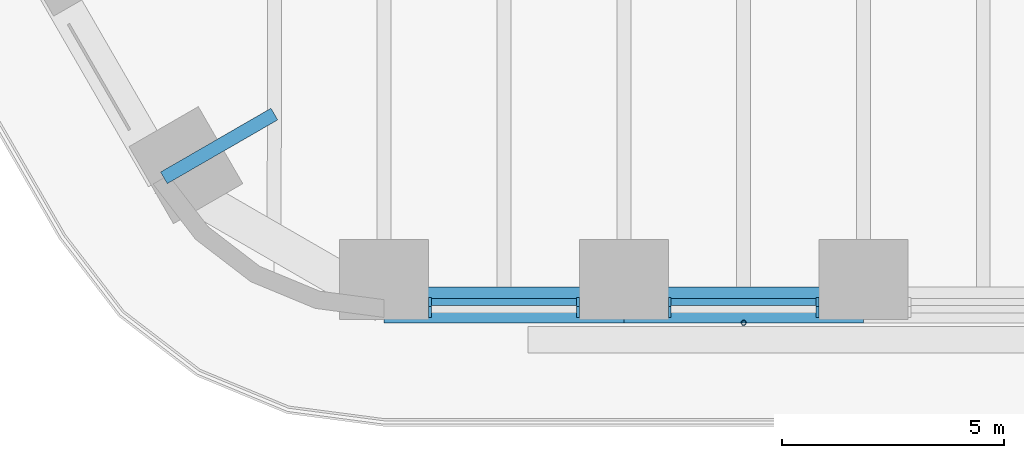
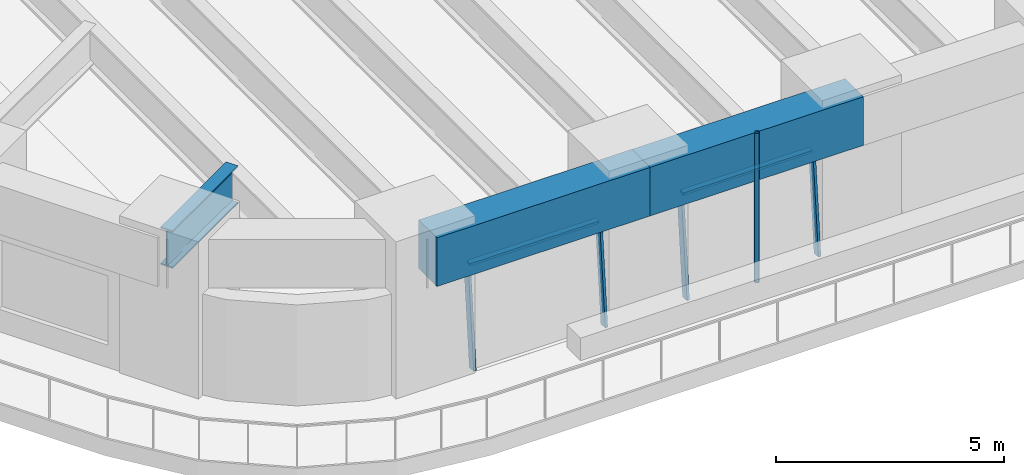
# One storey, part 2 of 23: 7 members, 3 beams, 2 elements without a shape of their own.
"""IFC4 building model written with IfcOpenShell, lengths in metres."""

import ifcopenshell
import ifcopenshell.guid

model = None  # the IFC model being written
_history = None  # IfcOwnerHistory: only IFC2X3 demands one
_inside = {}  # id of a spatial element -> (the spatial element, [elements in it])
_under = {}  # id of a project, library or spatial element -> (it, [spatial elements below it])
_declared = {}  # id of a project -> (the project, [libraries it declares])
_typed = {}  # id of a type object -> (the type object, [elements of that type])
_made_of = {}  # id of a material, layer set ... -> (it, [elements and type objects made of it])


def new_model(schema):
    """Start an empty IFC model of exactly this schema.

    Asked for "IFC4X3", IfcOpenShell would pick the latest addendum, in which some entities
    have other attributes; the version numbers below select the first issue.
    IFC2X3 requires an IfcOwnerHistory on every rooted entity: one is made here for all.
    """
    global model, _history
    if schema == "IFC4X3":
        model = ifcopenshell.file(schema_version=(4, 3, 0, 0))
    else:
        model = ifcopenshell.file(schema=schema)
    _inside.clear()
    _under.clear()
    _declared.clear()
    _typed.clear()
    _made_of.clear()
    _history = None
    if model.schema == "IFC2X3":
        org = make("IfcOrganization", Name="unknown")
        user = make(
            "IfcPersonAndOrganization",
            ThePerson=make("IfcPerson", FamilyName="unknown"),
            TheOrganization=org,
        )
        app = make(
            "IfcApplication",
            ApplicationDeveloper=org,
            Version="unknown",
            ApplicationFullName="unknown",
            ApplicationIdentifier="unknown",
        )
        _history = make(
            "IfcOwnerHistory",
            OwningUser=user,
            OwningApplication=app,
            ChangeAction="ADDED",
            CreationDate=0,
        )
    return model


def make(cls, **values):
    """One entity of the class cls with the attributes given. An attribute that is None is left unset."""
    return model.create_entity(
        cls, **{name: value for name, value in values.items() if value is not None}
    )


def rooted(cls, **values):
    """An entity with a GlobalId (a new one), such as an element, a storey or a relation."""
    return make(cls, GlobalId=ifcopenshell.guid.new(), OwnerHistory=_history, **values)


def si_unit(unit_type, name, prefix=None):
    """IfcSIUnit, for example si_unit("LENGTHUNIT", "METRE", prefix="MILLI")."""
    return make("IfcSIUnit", UnitType=unit_type, Prefix=prefix, Name=name)


def assignment(units):
    """IfcUnitAssignment: the units of a project."""
    return None if units is None else make("IfcUnitAssignment", Units=units)


def point(xyz):
    """IfcCartesianPoint."""
    return None if xyz is None else make("IfcCartesianPoint", Coordinates=xyz)


def direction(xyz):
    """IfcDirection."""
    return None if xyz is None else make("IfcDirection", DirectionRatios=xyz)


def frame(location, z_axis=None, x_axis=None):
    """IfcAxis2Placement3D, a coordinate frame: its origin and axes. An axis left out is left unset."""
    return make(
        "IfcAxis2Placement3D",
        Location=point(location),
        Axis=direction(z_axis),
        RefDirection=direction(x_axis),
    )


def frame_2d(location, x_axis=None):
    """IfcAxis2Placement2D, a coordinate frame in the plane: its origin and x axis."""
    return make(
        "IfcAxis2Placement2D", Location=point(location), RefDirection=direction(x_axis)
    )


def origin():
    """The frame at (0, 0, 0) with its axes left unset."""
    return frame((0.0, 0.0, 0.0))


def origin_2d():
    """The frame at (0, 0) in the plane with its x axis left unset."""
    return frame_2d((0.0, 0.0))


def place(relative_to, where):
    """IfcLocalPlacement: puts the frame where relative to a parent placement (None: the world)."""
    return make(
        "IfcLocalPlacement", PlacementRelTo=relative_to, RelativePlacement=where
    )


def context(
    kind, dimensions, precision=None, world=None, true_north=None, identifier=None
):
    """IfcGeometricRepresentationContext, for example the 3D "Model" context."""
    return make(
        "IfcGeometricRepresentationContext",
        ContextIdentifier=identifier,
        ContextType=kind,
        CoordinateSpaceDimension=dimensions,
        Precision=precision,
        WorldCoordinateSystem=world,
        TrueNorth=true_north,
    )


def subcontext(parent, identifier, kind, view, scale=None):
    """IfcGeometricRepresentationSubContext, for example "Body" below "Model"."""
    return make(
        "IfcGeometricRepresentationSubContext",
        ContextIdentifier=identifier,
        ContextType=kind,
        ParentContext=parent,
        TargetScale=scale,
        TargetView=view,
    )


def project(units=None, contexts=None):
    """IfcProject with its units and contexts."""
    return rooted(
        "IfcProject",
        Name="project",
        RepresentationContexts=contexts,
        UnitsInContext=assignment(units),
    )


def spatial(cls, under=None, at=None, **own):
    """A site, building, storey or space (cls), placed at a placement, below another one or the project."""
    s = rooted(cls, ObjectPlacement=at, **own)
    if under is not None:
        _under.setdefault(under.id(), (under, []))[1].append(s)
    return s


def profile(cls, at=None, kind="AREA", **sizes):
    """A parametric profile (cls). Its sizes go by their IFC names, for example OverallWidth=200.0."""
    return make(cls, ProfileType=kind, Position=at, **sizes)


def rectangle(**sizes):
    """IfcRectangleProfileDef."""
    return profile("IfcRectangleProfileDef", **sizes)


def hollow_circle(**sizes):
    """IfcCircleHollowProfileDef."""
    return profile("IfcCircleHollowProfileDef", **sizes)


def i_section(**sizes):
    """IfcIShapeProfileDef."""
    return profile("IfcIShapeProfileDef", **sizes)


def extrude(swept, where, along, depth):
    """IfcExtrudedAreaSolid: the profile swept, set in the frame where, extruded along a direction by depth."""
    return make(
        "IfcExtrudedAreaSolid",
        SweptArea=swept,
        Position=where,
        ExtrudedDirection=direction(along),
        Depth=depth,
    )


def shape(context_of_items, identifier, shape_type, items):
    """IfcShapeRepresentation: the items that make up one representation, for example the "Body"."""
    return make(
        "IfcShapeRepresentation",
        ContextOfItems=context_of_items,
        RepresentationIdentifier=identifier,
        RepresentationType=shape_type,
        Items=items,
    )


def material(Name=None, Category=None):
    """IfcMaterial."""
    return make("IfcMaterial", Name=Name, Category=Category)


def material_profile(
    of_material, cross_section, Name=None, Category=None, Priority=None
):
    """IfcMaterialProfile: a cross section and its material."""
    return make(
        "IfcMaterialProfile",
        Name=Name,
        Material=of_material,
        Profile=cross_section,
        Priority=Priority,
        Category=Category,
    )


def profile_set(profiles, Name=None, composite=None):
    """IfcMaterialProfileSet."""
    return make(
        "IfcMaterialProfileSet",
        Name=Name,
        MaterialProfiles=profiles,
        CompositeProfile=composite,
    )


def made_of(thing, what):
    """Note that an element or type object is made of a material, layer set ...; save() writes the relation."""
    if what is not None:
        _made_of.setdefault(what.id(), (what, []))[1].append(thing)
    return thing


def type_object(cls, material=None, **own):
    """A type object (cls), such as IfcWallType, which elements share."""
    return made_of(rooted(cls, **own), material)


def element(
    cls,
    number,
    at=None,
    inside=None,
    cuts=None,
    type_object=None,
    material=None,
    context=None,
    identifier="Body",
    shape_type=None,
    held_by="IfcProductDefinitionShape",
    body=None,
    shapes=None,
    **own,
):
    """One element of the class cls, such as IfcWall. Its Tag is "e" and its number.

    at: its placement. inside: the storey or other place that contains it. cuts: it is an
    opening in that element (IfcRelVoidsElement). A single representation is given by context,
    identifier, shape_type and body (its items); several are given by shapes. held_by: the class
    of the entity that holds the representations. save() writes the other relations.
    """
    e = rooted(cls, Tag="e%d" % number, ObjectPlacement=at, **own)
    if body is not None:
        shapes = [shape(context, identifier, shape_type, body)]
    if shapes is not None:
        e.Representation = make(held_by, Representations=shapes)
    if inside is not None:
        _inside.setdefault(inside.id(), (inside, []))[1].append(e)
    if cuts is not None:
        rooted(
            "IfcRelVoidsElement", RelatingBuildingElement=cuts, RelatedOpeningElement=e
        )
    if type_object is not None:
        _typed.setdefault(type_object.id(), (type_object, []))[1].append(e)
    return made_of(e, material)


def aggregate(whole, parts):
    """IfcRelAggregates: a whole, such as a stair, and the parts it consists of."""
    return rooted("IfcRelAggregates", RelatingObject=whole, RelatedObjects=parts)


def save(model, path):
    """Write the relations noted so far, then the file.

    IfcRelAggregates (storeys below a building ...), IfcRelContainedInSpatialStructure (elements
    in a storey), IfcRelDefinesByType, IfcRelAssociatesMaterial and IfcRelDeclares: one each for
    every whole, place, type object, material and project.
    """
    for whole, parts in _under.values():
        aggregate(whole, parts)
    for where, things in _inside.values():
        rooted(
            "IfcRelContainedInSpatialStructure",
            RelatedElements=things,
            RelatingStructure=where,
        )
    for kind, things in _typed.values():
        rooted("IfcRelDefinesByType", RelatedObjects=things, RelatingType=kind)
    for what, things in _made_of.values():
        rooted("IfcRelAssociatesMaterial", RelatedObjects=things, RelatingMaterial=what)
    for by, libraries in _declared.values():
        rooted("IfcRelDeclares", RelatingContext=by, RelatedDefinitions=libraries)
    model.write(path)


model = new_model("IFC4")

# Units and contexts
model_context = context("Model", 3, precision=1e-05, world=origin(), true_north=direction((0.0, 1.0)))
body_context = subcontext(model_context, "Body", "Model", "MODEL_VIEW")
ifc_project = project(units=[si_unit("LENGTHUNIT", "METRE"), si_unit("AREAUNIT", "SQUARE_METRE"), si_unit("VOLUMEUNIT", "CUBIC_METRE"), si_unit("PLANEANGLEUNIT", "RADIAN"), si_unit("MASSUNIT", "GRAM", prefix="KILO")], contexts=[model_context])

# Site, building, storey
site_placement = place(None, origin())
site = spatial("IfcSite", under=ifc_project, at=site_placement, CompositionType="ELEMENT")
building_placement = place(site_placement, origin())
building = spatial("IfcBuilding", under=site, at=building_placement, Name="Tarfa Lantern Tower", CompositionType="ELEMENT")
storey_placement = place(building_placement, frame((0.0, 0.0, 44.5)))
storey = spatial("IfcBuildingStorey", under=building, at=storey_placement, Name="L09", CompositionType="ELEMENT", Elevation=44.5)

# Curtain wall, members
ifc_material_1 = material(Name="Aluminium framed curtain wall", Category="aluminium")
curtain_wall_type = type_object("IfcCurtainWallType", Name="CW1 CANTED GLAZING LOW ZONE 2700", PredefinedType="USERDEFINED", material=ifc_material_1)
curtain_wall_1_placement = place(storey_placement, origin())
curtain_wall_1 = element("IfcCurtainWall", 1, at=curtain_wall_1_placement, inside=storey, type_object=curtain_wall_type, Name="CW1 S L09", ObjectType="CURTAIN WALL", PredefinedType="USERDEFINED")
ifc_material_2 = material(Name="Aluminium mullion", Category="aluminium")
ifc_material_profile_1 = material_profile(ifc_material_2, rectangle(XDim=0.06494140625, YDim=0.199951171875, at=origin_2d()), Name="AL MULLION 65x200")
ifc_profile_set_1 = profile_set([ifc_material_profile_1], Name="Aluminium mullion")
member_type_1 = type_object("IfcMemberType", Name="CWM1 MULLION 65x200", PredefinedType="MULLION", material=ifc_profile_set_1)
member_1_placement = place(storey_placement, frame((-15.13330078125, -33.89990234375, 0.0), z_axis=(0.0, 0.092199863775, 0.995740520979), x_axis=(-1.0, 0.0, 0.0)))
member_1 = element("IfcMember", 2, at=member_1_placement, type_object=member_type_1, Name="CW1 mullion 1", PredefinedType="MULLION", context=body_context, shape_type="SweptSolid", body=[
    extrude(rectangle(XDim=0.06494140625, YDim=0.199951171875, at=origin_2d()), origin(), (0.0, 0.0, 1.0), 2.71142578125),
])
member_2_placement = place(storey_placement, frame((-11.809814453125, -33.89990234375, 0.0), z_axis=(0.0, 0.092199863775, 0.995740520979), x_axis=(-1.0, 0.0, 0.0)))
member_2 = element("IfcMember", 3, at=member_2_placement, type_object=member_type_1, Name="CW1 mullion 2", PredefinedType="MULLION", context=body_context, shape_type="SweptSolid", body=[
    extrude(rectangle(XDim=0.06494140625, YDim=0.199951171875, at=origin_2d()), origin(), (0.0, 0.0, 1.0), 2.71142578125),
])

curtain_wall_2_placement = place(storey_placement, origin())
curtain_wall_2 = element("IfcCurtainWall", 4, at=curtain_wall_2_placement, inside=storey, type_object=curtain_wall_type, Name="CW1 S L09", ObjectType="CURTAIN WALL", PredefinedType="USERDEFINED")
member_3_placement = place(storey_placement, frame((-9.74462890625, -33.89990234375, 0.0), z_axis=(0.0, 0.092199863775, 0.995740520979), x_axis=(-1.0, 0.0, 0.0)))
member_3 = element("IfcMember", 5, at=member_3_placement, type_object=member_type_1, Name="CW1 mullion 1", PredefinedType="MULLION", context=body_context, shape_type="SweptSolid", body=[
    extrude(rectangle(XDim=0.06494140625, YDim=0.199951171875, at=origin_2d()), origin(), (0.0, 0.0, 1.0), 2.71142578125),
])
member_4_placement = place(storey_placement, frame((-6.421142578125, -33.89990234375, 0.0), z_axis=(0.0, 0.092199863775, 0.995740520979), x_axis=(-1.0, 0.0, 0.0)))
member_4 = element("IfcMember", 6, at=member_4_placement, type_object=member_type_1, Name="CW1 mullion 2", PredefinedType="MULLION", context=body_context, shape_type="SweptSolid", body=[
    extrude(rectangle(XDim=0.06494140625, YDim=0.199951171875, at=origin_2d()), origin(), (0.0, 0.0, 1.0), 2.71142578125),
])

# Member
ifc_material_3 = material(Name="Aluminium transom", Category="aluminium")
ifc_material_profile_2 = material_profile(ifc_material_3, rectangle(XDim=0.14990234375, YDim=0.06494140625, at=origin_2d()), Name="AL TRANSOM 150x65")
ifc_profile_set_2 = profile_set([ifc_material_profile_2], Name="Aluminium transom")
member_type_2 = type_object("IfcMemberType", Name="CWT1 TRANSOM 150x65", PredefinedType="USERDEFINED", material=ifc_profile_set_2)
member_5_placement = place(storey_placement, frame((-15.100830078125, -33.653076171875, 2.66748046875), z_axis=(1.0, 0.0, 0.0), x_axis=(0.0, 1.0, 0.0)))
member_5 = element("IfcMember", 7, at=member_5_placement, type_object=member_type_2, Name="CW1 transom 1.2", ObjectType="TRANSOM", PredefinedType="USERDEFINED", context=body_context, shape_type="SweptSolid", body=[
    extrude(rectangle(XDim=0.14990234375, YDim=0.06494140625, at=origin_2d()), origin(), (0.0, 0.0, 1.0), 3.258544921875),
])

aggregate(curtain_wall_1, [member_1, member_2, member_5])

member_6_placement = place(storey_placement, frame((-9.712158203125, -33.653076171875, 2.66748046875), z_axis=(1.0, 0.0, 0.0), x_axis=(0.0, 1.0, 0.0)))
member_6 = element("IfcMember", 8, at=member_6_placement, type_object=member_type_2, Name="CW1 transom 1.2", ObjectType="TRANSOM", PredefinedType="USERDEFINED", context=body_context, shape_type="SweptSolid", body=[
    extrude(rectangle(XDim=0.14990234375, YDim=0.06494140625, at=origin_2d()), origin(), (0.0, 0.0, 1.0), 3.258544921875),
])

aggregate(curtain_wall_2, [member_3, member_4, member_6])

# Beams
ifc_material_4 = material(Name="Concrete C80/95", Category="concrete")
ifc_material_profile_3 = material_profile(ifc_material_4, rectangle(XDim=0.800048828125, YDim=1.300048828125, at=origin_2d()), Name="RC 800x1300")
ifc_profile_set_3 = profile_set([ifc_material_profile_3], Name="Concrete C80/95")
beam_type_1 = type_object("IfcBeamType", Name="EB1 RC 800x1300", PredefinedType="SPANDREL", material=ifc_profile_set_3)
beam_1_placement = place(storey_placement, frame((-16.165771484375, -33.719970703125, 3.35009765625), z_axis=(1.0, 0.0, 0.0), x_axis=(0.0, 1.0, 0.0)))
element("IfcBeam", 9, at=beam_1_placement, inside=storey, type_object=beam_type_1, Name="Edge beam S0", PredefinedType="SPANDREL", context=body_context, shape_type="SweptSolid", body=[
    extrude(rectangle(XDim=0.800048828125, YDim=1.300048828125, at=origin_2d()), origin(), (0.0, 0.0, 1.0), 5.388671875),
])
beam_2_placement = place(storey_placement, frame((-10.777099609375, -33.719970703125, 3.35009765625), z_axis=(1.0, 0.0, 0.0), x_axis=(0.0, 1.0, 0.0)))
element("IfcBeam", 10, at=beam_2_placement, inside=storey, type_object=beam_type_1, Name="Edge beam S1", PredefinedType="SPANDREL", context=body_context, shape_type="SweptSolid", body=[
    extrude(rectangle(XDim=0.800048828125, YDim=1.300048828125, at=origin_2d()), origin(), (0.0, 0.0, 1.0), 5.388427734375),
])

# Member
ifc_material_5 = material(Name="Steel S355", Category="steel")
ifc_material_profile_4 = material_profile(ifc_material_5, hollow_circle(Radius=0.05712890625, WallThickness=0.00634765625, at=origin_2d()), Name="CHS114.3x6.3")
ifc_profile_set_4 = profile_set([ifc_material_profile_4], Name="Steel S355")
member_type_3 = type_object("IfcMemberType", Name="TR1 GREEN WALL TRELLIS CHS114.3x6.3", PredefinedType="USERDEFINED", material=ifc_profile_set_4)
member_7_placement = place(storey_placement, frame((-8.0830078125, -34.1201171875, 0.0), z_axis=(0.0, 0.0, 1.0), x_axis=(1.0, 0.0, 0.0)))
element("IfcMember", 11, at=member_7_placement, inside=storey, type_object=member_type_3, Name="Trellis post S 1", ObjectType="TRELLIS", PredefinedType="USERDEFINED", context=body_context, shape_type="SweptSolid", body=[
    extrude(hollow_circle(Radius=0.05712890625, WallThickness=0.00634765625, at=origin_2d()), origin(), (0.0, 0.0, 1.0), 4.0),
])

# Beam
ifc_material_6 = material(Name="Steel S460M", Category="steel")
ifc_material_profile_5 = material_profile(ifc_material_6, i_section(OverallWidth=0.302001953125, OverallDepth=1.008056640625, WebThickness=0.02099609375, FlangeThickness=0.0400390625, FilletRadius=0.030029296875, at=origin_2d()), Name="UB1016x305x349")
ifc_profile_set_5 = profile_set([ifc_material_profile_5], Name="Steel S460M")
beam_type_2 = type_object("IfcBeamType", Name="UB1016x305x349", PredefinedType="BEAM", material=ifc_profile_set_5)
beam_3_placement = place(storey_placement, frame((-21.119384765625, -30.860107421875, 3.495849609375), z_axis=(0.866012580594, 0.500022209759, 0.0), x_axis=(-0.500022209759, 0.866012580594, 0.0)))
element("IfcBeam", 12, at=beam_3_placement, inside=storey, type_object=beam_type_2, Name="Floor beam SW6", PredefinedType="BEAM", context=body_context, shape_type="SweptSolid", body=[
    extrude(i_section(OverallWidth=0.302001953125, OverallDepth=1.008056640625, WebThickness=0.02099609375, FlangeThickness=0.0400390625, FilletRadius=0.030029296875, at=origin_2d()), origin(), (0.0, 0.0, 1.0), 2.866943359375),
])

save(model, "model.ifc")
